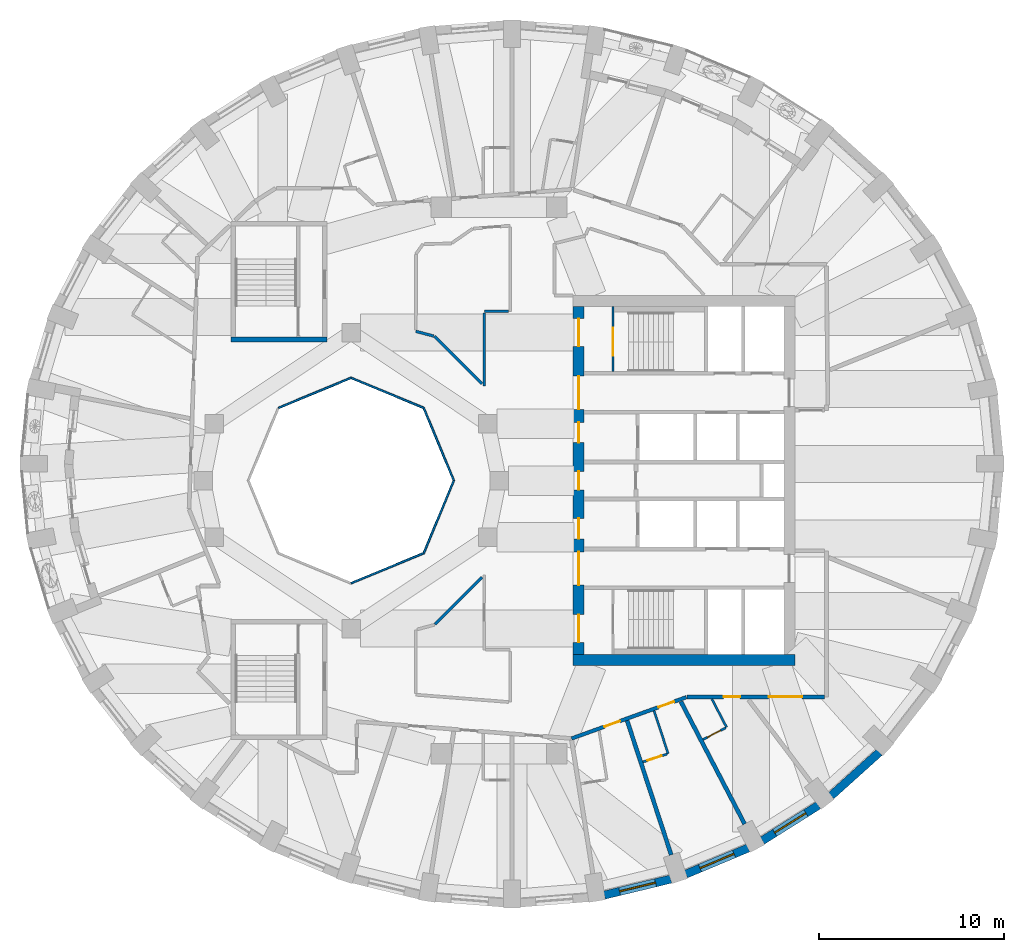
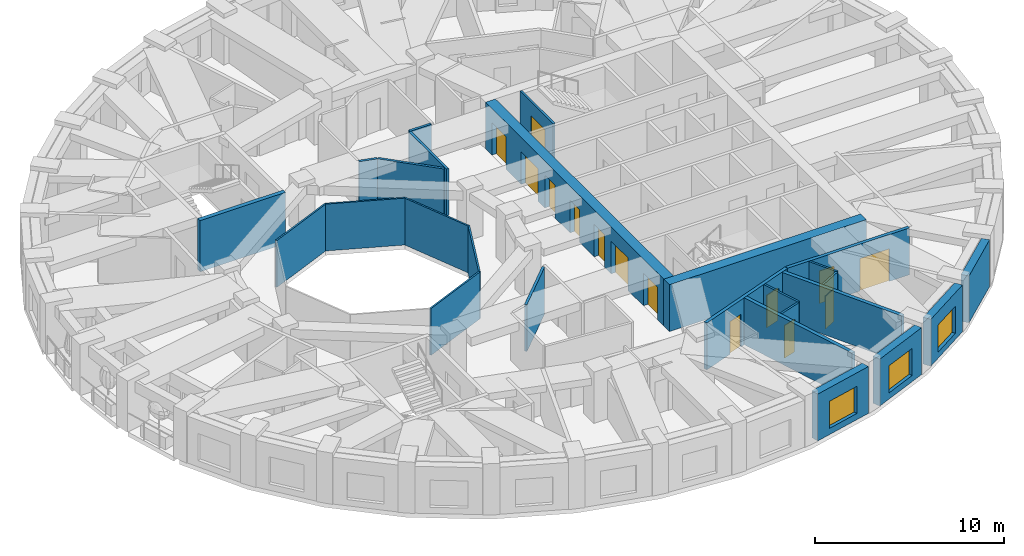
# One storey, part 5 of 12: 26 walls, 14 doors, 3 windows, 17 openings.
"""IFC4 building model written with IfcOpenShell, lengths in metres."""

from ifc_helpers import new_model, si_unit, direction, frame, frame_2d, origin, place, context, subcontext, project, spatial, rectangle, extrude, material, layer, layer_set, type_object, element, fill, save


model = new_model("IFC4")

# Units and contexts
model_context = context("Model", 3, precision=1e-05, world=origin(), true_north=direction((0.0, 1.0)))
body_context = subcontext(model_context, "Body", "Model", "MODEL_VIEW")
ifc_project = project(units=[si_unit("LENGTHUNIT", "METRE"), si_unit("AREAUNIT", "SQUARE_METRE"), si_unit("VOLUMEUNIT", "CUBIC_METRE"), si_unit("PLANEANGLEUNIT", "RADIAN"), si_unit("MASSUNIT", "GRAM", prefix="KILO")], contexts=[model_context])

# Site, building, storey
site_placement = place(None, origin())
site = spatial("IfcSite", under=ifc_project, at=site_placement, CompositionType="ELEMENT")
building_placement = place(site_placement, origin())
building = spatial("IfcBuilding", under=site, at=building_placement, Name="Taillehof Tower", CompositionType="ELEMENT")
storey_placement = place(building_placement, frame((0.0, 0.0, 192.5)))
storey = spatial("IfcBuildingStorey", under=building, at=storey_placement, Name="L54", CompositionType="ELEMENT", Elevation=192.5)

# Walls
ifc_material_1 = material(Name="Fire-resisting glass in steel frame", Category="steel")
ifc_layer_1 = layer(ifc_material_1, 0.10009765625)
ifc_layer_set_1 = layer_set([ifc_layer_1], Name="Atrium fire-resisting screen EI 60 100")
wall_type_1 = type_object("IfcWallType", Name="Atrium fire-resisting screen EI 60 100", PredefinedType="PARTITIONING", material=ifc_layer_set_1)
for number, where, z_axis, x_axis, name in (
    (1, (-2.44580078125, 0.0, 0.0), (0.0, 0.0, 1.0), (-0.382730523909, -0.923860025149, 0.0), "Atrium screen"),
    (2, (-4.07275390625, -3.92724609375, 0.0), (0.0, 0.0, 1.0), (-0.923860025149, -0.382730523909, 0.0), "Atrium screen"),
    (3, (-11.92724609375, 3.92724609375, 0.0), (0.0, 0.0, 1.0), (0.923860025149, 0.382730523909, 0.0), "Atrium screen"),
    (4, (-8.0, 5.55419921875, 0.0), (0.0, 0.0, 1.0), (0.923860025149, -0.382730523909, 0.0), "Atrium screen"),
    (5, (-4.07275390625, 3.92724609375, 0.0), (0.0, 0.0, 1.0), (0.382730523909, -0.923860025149, 0.0), "Atrium screen"),
):
    element("IfcWall", number, at=place(storey_placement, frame(where, z_axis=z_axis, x_axis=x_axis)), inside=storey, type_object=wall_type_1, Name=name, PredefinedType="PARTITIONING", context=body_context, shape_type="SweptSolid", body=[
        extrude(rectangle(XDim=4.2509765625, YDim=0.10009765625, at=frame_2d((2.12548828125, 0.0))), origin(), (0.0, 0.0, 1.0), 3.02001953125),
    ])

# Wall, opening, window
ifc_material_2 = material(Name="Brick masonry", Category="masonry")
ifc_layer_2 = layer(ifc_material_2, 0.449951171875)
ifc_layer_set_2 = layer_set([ifc_layer_2], Name="Brick infill wall 450")
wall_type_2 = type_object("IfcWallType", Name="Brick infill wall 450", PredefinedType="SOLIDWALL", material=ifc_layer_set_2)
wall_1_placement = place(storey_placement, frame((5.690673828125, -22.41357421875, 0.0), z_axis=(0.0, 0.0, 1.0), x_axis=(0.9721584944, 0.234324266275, 0.0)))
wall_1 = element("IfcWall", 6, at=wall_1_placement, inside=storey, type_object=wall_type_2, Name="Brick wall L54 bay 29", PredefinedType="SOLIDWALL", context=body_context, shape_type="SweptSolid", body=[
    extrude(rectangle(XDim=3.69775390625, YDim=0.449951171875, at=frame_2d((1.848876953125, 0.0))), origin(), (0.0, 0.0, 1.0), 3.02001953125),
])
opening_1_placement = place(wall_1_placement, frame((0.848876953125, 0.0, 0.39990234375)))
opening_1 = element("IfcOpeningElement", 7, at=opening_1_placement, cuts=wall_1, Name="Opening W2", PredefinedType="OPENING", context=body_context, shape_type="SweptSolid", body=[
    extrude(rectangle(XDim=2.0, YDim=1.75, at=frame_2d((1.0, 0.875))), frame((0.0, 0.23486328125, 0.0), z_axis=(0.0, -1.0, 0.0), x_axis=(1.0, 0.0, 0.0)), (0.0, 0.0, 1.0), 0.469970703125),
])
ifc_material_3 = material(Name="Aluminium window frame with clear double glazing", Category="aluminium")
window_type = type_object("IfcWindowType", Name="Deep-set window 2000x1750", PartitioningType="SINGLE_PANEL", PredefinedType="WINDOW", material=ifc_material_3)
window_1_placement = place(opening_1_placement, origin())
window_1 = element("IfcWindow", 8, at=window_1_placement, inside=storey, type_object=window_type, Name="W2", OverallHeight=1.75, OverallWidth=2.0, PartitioningType="SINGLE_PANEL", PredefinedType="WINDOW", context=body_context, shape_type="SweptSolid", body=[
    extrude(rectangle(XDim=2.0, YDim=1.75, at=frame_2d((1.0, 0.875))), frame((0.0, 0.034912109375, 0.0), z_axis=(0.0, -1.0, 0.0), x_axis=(1.0, 0.0, 0.0)), (0.0, 0.0, 1.0), 0.06005859375),
])
fill(opening_1, window_1)

wall_2_placement = place(storey_placement, frame((10.1025390625, -21.279052734375, 0.0), z_axis=(0.0, 0.0, 1.0), x_axis=(0.922168222612, 0.386789050006, 0.0)))
wall_2 = element("IfcWall", 9, at=wall_2_placement, inside=storey, type_object=wall_type_2, Name="Brick wall L54 bay 30", PredefinedType="SOLIDWALL", context=body_context, shape_type="SweptSolid", body=[
    extrude(rectangle(XDim=3.65087890625, YDim=0.449951171875, at=frame_2d((1.825439453125, 0.0))), origin(), (0.0, 0.0, 1.0), 3.02001953125),
])
opening_2_placement = place(wall_2_placement, frame((0.825439453125, 0.0, 0.39990234375)))
opening_2 = element("IfcOpeningElement", 10, at=opening_2_placement, cuts=wall_2, Name="Opening W2", PredefinedType="OPENING", context=body_context, shape_type="SweptSolid", body=[
    extrude(rectangle(XDim=2.0, YDim=1.75, at=frame_2d((1.0, 0.875))), frame((0.0, 0.23486328125, 0.0), z_axis=(0.0, -1.0, 0.0), x_axis=(1.0, 0.0, 0.0)), (0.0, 0.0, 1.0), 0.469970703125),
])
window_2_placement = place(opening_2_placement, origin())
window_2 = element("IfcWindow", 11, at=window_2_placement, inside=storey, type_object=window_type, Name="W2", OverallHeight=1.75, OverallWidth=2.0, PartitioningType="SINGLE_PANEL", PredefinedType="WINDOW", context=body_context, shape_type="SweptSolid", body=[
    extrude(rectangle(XDim=2.0, YDim=1.75, at=frame_2d((1.0, 0.875))), frame((0.0, 0.034912109375, 0.0), z_axis=(0.0, -1.0, 0.0), x_axis=(1.0, 0.0, 0.0)), (0.0, 0.0, 1.0), 0.06005859375),
])
fill(opening_2, window_2)

wall_3_placement = place(storey_placement, frame((14.232421875, -19.469970703125, 0.0), z_axis=(0.0, 0.0, 1.0), x_axis=(0.84614984472, 0.532945063098, 0.0)))
wall_3 = element("IfcWall", 12, at=wall_3_placement, inside=storey, type_object=wall_type_2, Name="Brick wall L54 bay 31", PredefinedType="SOLIDWALL", context=body_context, shape_type="SweptSolid", body=[
    extrude(rectangle(XDim=3.58642578125, YDim=0.449951171875, at=frame_2d((1.793212890625, 0.0))), origin(), (0.0, 0.0, 1.0), 3.02001953125),
])
opening_3_placement = place(wall_3_placement, frame((0.79345703125, 0.0, 0.39990234375)))
opening_3 = element("IfcOpeningElement", 13, at=opening_3_placement, cuts=wall_3, Name="Opening W2", PredefinedType="OPENING", context=body_context, shape_type="SweptSolid", body=[
    extrude(rectangle(XDim=2.0, YDim=1.75, at=frame_2d((1.0, 0.875))), frame((0.0, 0.23486328125, 0.0), z_axis=(0.0, -1.0, 0.0), x_axis=(1.0, 0.0, 0.0)), (0.0, 0.0, 1.0), 0.469970703125),
])
window_3_placement = place(opening_3_placement, origin())
window_3 = element("IfcWindow", 14, at=window_3_placement, inside=storey, type_object=window_type, Name="W2", OverallHeight=1.75, OverallWidth=2.0, PartitioningType="SINGLE_PANEL", PredefinedType="WINDOW", context=body_context, shape_type="SweptSolid", body=[
    extrude(rectangle(XDim=2.0, YDim=1.75, at=frame_2d((1.0, 0.875))), frame((0.0, 0.034912109375, 0.0), z_axis=(0.0, -1.0, 0.0), x_axis=(1.0, 0.0, 0.0)), (0.0, 0.0, 1.0), 0.06005859375),
])
fill(opening_3, window_3)

# Wall
wall_4_placement = place(storey_placement, frame((17.953369140625, -17.039794921875, 0.0), z_axis=(0.0, 0.0, 1.0), x_axis=(0.743442727602, 0.668799604348, 0.0)))
element("IfcWall", 15, at=wall_4_placement, inside=storey, type_object=wall_type_2, Name="Brick wall L54 bay 32", PredefinedType="SOLIDWALL", context=body_context, shape_type="SweptSolid", body=[
    extrude(rectangle(XDim=3.5126953125, YDim=0.449951171875, at=frame_2d((1.75634765625, 0.0))), origin(), (0.0, 0.0, 1.0), 3.02001953125),
])

# Wall, openings, doors
ifc_material_4 = material(Name="Gypsum board on steel studs, two layers each side", Category="steel")
ifc_layer_3 = layer(ifc_material_4, 0.199951171875)
ifc_layer_set_3 = layer_set([ifc_layer_3], Name="Compartment wall corridor 200")
wall_type_3 = type_object("IfcWallType", Name="Compartment wall corridor 200", PredefinedType="PARTITIONING", material=ifc_layer_set_3)
wall_5_placement = place(storey_placement, frame((17.599853515625, -11.699951171875, 0.0), z_axis=(0.0, 0.0, 1.0), x_axis=(-1.0, 0.0, 0.0)))
wall_5 = element("IfcWall", 16, at=wall_5_placement, inside=storey, type_object=wall_type_3, Name="Compartment wall", PredefinedType="PARTITIONING", context=body_context, shape_type="SweptSolid", body=[
    extrude(rectangle(XDim=7.43701171875, YDim=0.199951171875, at=frame_2d((3.718505859375, 0.0))), origin(), (0.0, 0.0, 1.0), 3.02001953125),
])
opening_4_placement = place(wall_5_placement, frame((4.56201171875, 0.0, 0.0)))
opening_4 = element("IfcOpeningElement", 17, at=opening_4_placement, cuts=wall_5, Name="Opening D5466", PredefinedType="OPENING", context=body_context, shape_type="SweptSolid", body=[
    extrude(rectangle(XDim=0.89990234375, YDim=2.10009765625, at=frame_2d((0.449951171875, 1.050048828125))), frame((0.0, 0.10986328125, 0.0), z_axis=(0.0, -1.0, 0.0), x_axis=(1.0, 0.0, 0.0)), (0.0, 0.0, 1.0), 0.219970703125),
])
opening_5_placement = place(wall_5_placement, frame((1.220458984375, 0.0, 0.0)))
opening_5 = element("IfcOpeningElement", 18, at=opening_5_placement, cuts=wall_5, Name="Opening D5468", PredefinedType="OPENING", context=body_context, shape_type="SweptSolid", body=[
    extrude(rectangle(XDim=1.800048828125, YDim=2.10009765625, at=frame_2d((0.89990234375, 1.050048828125))), frame((0.0, 0.10986328125, 0.0), z_axis=(0.0, -1.0, 0.0), x_axis=(1.0, 0.0, 0.0)), (0.0, 0.0, 1.0), 0.219970703125),
])
ifc_material_5 = material(Name="Timber door leaf in steel frame", Category="steel")
door_type_1 = type_object("IfcDoorType", Name="Guest room door EI 30 900 x 2100", OperationType="SINGLE_SWING_LEFT", PredefinedType="DOOR", material=ifc_material_5)
door_1_placement = place(opening_4_placement, origin())
door_1 = element("IfcDoor", 19, at=door_1_placement, inside=storey, type_object=door_type_1, Name="D5466", OperationType="SINGLE_SWING_LEFT", OverallHeight=2.10009765625, OverallWidth=0.89990234375, PredefinedType="DOOR", context=body_context, shape_type="SweptSolid", body=[
    extrude(rectangle(XDim=0.89990234375, YDim=2.10009765625, at=frame_2d((0.449951171875, 1.050048828125))), frame((0.0, 0.02490234375, 0.0), z_axis=(0.0, -1.0, 0.0), x_axis=(1.0, 0.0, 0.0)), (0.0, 0.0, 1.0), 0.050048828125),
])
fill(opening_4, door_1)
ifc_material_6 = material(Name="Timber door leaf in steel frame", Category="steel")
door_type_2 = type_object("IfcDoorType", Name="Lounge and meeting room double door EI 30 1800 x 2100", OperationType="SINGLE_SWING_LEFT", PredefinedType="DOOR", material=ifc_material_6)
door_2_placement = place(opening_5_placement, origin())
door_2 = element("IfcDoor", 20, at=door_2_placement, inside=storey, type_object=door_type_2, Name="D5468", OperationType="DOUBLE_DOOR_SINGLE_SWING", OverallHeight=2.10009765625, OverallWidth=1.800048828125, PredefinedType="DOOR", context=body_context, shape_type="SweptSolid", body=[
    extrude(rectangle(XDim=1.800048828125, YDim=2.10009765625, at=frame_2d((0.89990234375, 1.050048828125))), frame((0.0, 0.02490234375, 0.0), z_axis=(0.0, -1.0, 0.0), x_axis=(1.0, 0.0, 0.0)), (0.0, 0.0, 1.0), 0.050048828125),
])
fill(opening_5, door_2)

wall_6_placement = place(storey_placement, frame((10.125244140625, -11.713623046875, 0.0), z_axis=(0.0, 0.0, 1.0), x_axis=(-0.940958661946, -0.338521486038, 0.0)))
wall_6 = element("IfcWall", 21, at=wall_6_placement, inside=storey, type_object=wall_type_3, Name="Compartment wall", PredefinedType="PARTITIONING", context=body_context, shape_type="SweptSolid", body=[
    extrude(rectangle(XDim=6.593994140625, YDim=0.199951171875, at=frame_2d((3.296875, 0.0))), origin(), (0.0, 0.0, 1.0), 3.02001953125),
])
opening_6_placement = place(wall_6_placement, frame((3.808837890625, 0.0, 0.0)))
opening_6 = element("IfcOpeningElement", 22, at=opening_6_placement, cuts=wall_6, Name="Opening D5462", PredefinedType="OPENING", context=body_context, shape_type="SweptSolid", body=[
    extrude(rectangle(XDim=0.89990234375, YDim=2.10009765625, at=frame_2d((0.449951171875, 1.050048828125))), frame((0.0, 0.10986328125, 0.0), z_axis=(0.0, -1.0, 0.0), x_axis=(1.0, 0.0, 0.0)), (0.0, 0.0, 1.0), 0.219970703125),
])
opening_7_placement = place(wall_6_placement, frame((0.70556640625, 0.0, 0.0)))
opening_7 = element("IfcOpeningElement", 23, at=opening_7_placement, cuts=wall_6, Name="Opening D5464", PredefinedType="OPENING", context=body_context, shape_type="SweptSolid", body=[
    extrude(rectangle(XDim=0.89990234375, YDim=2.10009765625, at=frame_2d((0.449951171875, 1.050048828125))), frame((0.0, 0.10986328125, 0.0), z_axis=(0.0, -1.0, 0.0), x_axis=(1.0, 0.0, 0.0)), (0.0, 0.0, 1.0), 0.219970703125),
])
door_3_placement = place(opening_6_placement, origin())
door_3 = element("IfcDoor", 24, at=door_3_placement, inside=storey, type_object=door_type_1, Name="D5462", OperationType="SINGLE_SWING_LEFT", OverallHeight=2.10009765625, OverallWidth=0.89990234375, PredefinedType="DOOR", context=body_context, shape_type="SweptSolid", body=[
    extrude(rectangle(XDim=0.89990234375, YDim=2.10009765625, at=frame_2d((0.449951171875, 1.050048828125))), frame((0.0, 0.02490234375, 0.0), z_axis=(0.0, -1.0, 0.0), x_axis=(1.0, 0.0, 0.0)), (0.0, 0.0, 1.0), 0.050048828125),
])
fill(opening_6, door_3)
door_4_placement = place(opening_7_placement, origin())
door_4 = element("IfcDoor", 25, at=door_4_placement, inside=storey, type_object=door_type_1, Name="D5464", OperationType="SINGLE_SWING_LEFT", OverallHeight=2.10009765625, OverallWidth=0.89990234375, PredefinedType="DOOR", context=body_context, shape_type="SweptSolid", body=[
    extrude(rectangle(XDim=0.89990234375, YDim=2.10009765625, at=frame_2d((0.449951171875, 1.050048828125))), frame((0.0, 0.02490234375, 0.0), z_axis=(0.0, -1.0, 0.0), x_axis=(1.0, 0.0, 0.0)), (0.0, 0.0, 1.0), 0.050048828125),
])
fill(opening_7, door_4)

# Walls
ifc_material_7 = material(Name="Gypsum board on double steel studs with mineral wool", Category="steel")
ifc_layer_4 = layer(ifc_material_7, 0.219970703125)
ifc_layer_set_4 = layer_set([ifc_layer_4], Name="Compartment wall guest room 220")
wall_type_4 = type_object("IfcWallType", Name="Compartment wall guest room 220", PredefinedType="PARTITIONING", material=ifc_layer_set_4)
wall_7_placement = place(storey_placement, frame((9.30712890625, -20.2353515625, 0.0), z_axis=(0.0, 0.0, 1.0), x_axis=(-0.311980340154, 0.950088557639, 0.0)))
element("IfcWall", 26, at=wall_7_placement, inside=storey, type_object=wall_type_4, Name="Compartment wall", PredefinedType="PARTITIONING", context=body_context, shape_type="SweptSolid", body=[
    extrude(rectangle(XDim=7.644775390625, YDim=0.219970703125, at=frame_2d((3.822265625, 0.0))), origin(), (0.0, 0.0, 1.0), 3.02001953125),
])
wall_8_placement = place(storey_placement, frame((13.278564453125, -18.56982421875, 0.0), z_axis=(0.0, 0.0, 1.0), x_axis=(-0.461996036885, 0.886881988712, 0.0)))
element("IfcWall", 27, at=wall_8_placement, inside=storey, type_object=wall_type_4, Name="Compartment wall", PredefinedType="PARTITIONING", context=body_context, shape_type="SweptSolid", body=[
    extrude(rectangle(XDim=7.467041015625, YDim=0.219970703125, at=frame_2d((3.7333984375, 0.0))), origin(), (0.0, 0.0, 1.0), 3.02001953125),
])
ifc_material_8 = material(Name="Gypsum board on steel studs, two layers each side", Category="steel")
ifc_layer_5 = layer(ifc_material_8, 0.14990234375)
ifc_layer_set_5 = layer_set([ifc_layer_5], Name="Compartment wall service room 150")
wall_type_5 = type_object("IfcWallType", Name="Compartment wall service room 150", PredefinedType="PARTITIONING", material=ifc_layer_set_5)
wall_9_placement = place(storey_placement, frame((0.52001953125, 9.14990234375, 0.0), z_axis=(0.0, 0.0, 1.0), x_axis=(-1.0, 0.0, 0.0)))
element("IfcWall", 28, at=wall_9_placement, inside=storey, type_object=wall_type_5, Name="Compartment wall", PredefinedType="PARTITIONING", context=body_context, shape_type="SweptSolid", body=[
    extrude(rectangle(XDim=1.320068359375, YDim=0.14990234375, at=frame_2d((0.66015625, 0.0))), origin(), (0.0, 0.0, 1.0), 3.02001953125),
])
wall_10_placement = place(storey_placement, frame((-0.800048828125, 9.06982421875, 0.0), z_axis=(0.0, 0.0, 1.0), x_axis=(0.0, -1.0, 0.0)))
element("IfcWall", 29, at=wall_10_placement, inside=storey, type_object=wall_type_5, Name="Compartment wall", PredefinedType="PARTITIONING", context=body_context, shape_type="SweptSolid", body=[
    extrude(rectangle(XDim=3.966064453125, YDim=0.14990234375, at=frame_2d((1.98291015625, 0.0))), origin(), (0.0, 0.0, 1.0), 3.02001953125),
])
wall_11_placement = place(storey_placement, frame((-0.927490234375, 5.231201171875, 0.0), z_axis=(0.0, 0.0, 1.0), x_axis=(-0.707106781187, 0.707106781187, 0.0)))
element("IfcWall", 30, at=wall_11_placement, inside=storey, type_object=wall_type_5, Name="Compartment wall", PredefinedType="PARTITIONING", context=body_context, shape_type="SweptSolid", body=[
    extrude(rectangle(XDim=3.63330078125, YDim=0.14990234375, at=frame_2d((1.816650390625, 0.0))), origin(), (0.0, 0.0, 1.0), 3.02001953125),
])
wall_12_placement = place(storey_placement, frame((-3.53515625, 7.810546875, 0.0), z_axis=(0.0, 0.0, 1.0), x_axis=(-0.965921867197, 0.258833820183, 0.0)))
element("IfcWall", 31, at=wall_12_placement, inside=storey, type_object=wall_type_5, Name="Compartment wall", PredefinedType="PARTITIONING", context=body_context, shape_type="SweptSolid", body=[
    extrude(rectangle(XDim=0.998779296875, YDim=0.14990234375, at=frame_2d((0.49951171875, 0.0))), origin(), (0.0, 0.0, 1.0), 3.02001953125),
])
wall_13_placement = place(storey_placement, frame((-3.46826171875, -7.77197265625, 0.0), z_axis=(0.0, 0.0, 1.0), x_axis=(0.707106781187, 0.707106781187, 0.0)))
element("IfcWall", 32, at=wall_13_placement, inside=storey, type_object=wall_type_5, Name="Compartment wall", PredefinedType="PARTITIONING", context=body_context, shape_type="SweptSolid", body=[
    extrude(rectangle(XDim=3.59326171875, YDim=0.14990234375, at=frame_2d((1.796630859375, 0.0))), origin(), (0.0, 0.0, 1.0), 3.02001953125),
])

# Wall, openings, doors
ifc_material_9 = material(Name="Concrete C80/95", Category="concrete")
ifc_layer_6 = layer(ifc_material_9, 0.60009765625)
ifc_layer_set_6 = layer_set([ifc_layer_6], Name="Core wall C80/95 600")
wall_type_6 = type_object("IfcWallType", Name="Core wall C80/95 600", PredefinedType="SHEAR", material=ifc_layer_set_6)
wall_14_placement = place(storey_placement, frame((4.300048828125, -9.39990234375, 0.0), z_axis=(0.0, 0.0, 1.0), x_axis=(0.0, 1.0, 0.0)))
wall_14 = element("IfcWall", 33, at=wall_14_placement, inside=storey, type_object=wall_type_6, Name="Core wall CW01", PredefinedType="SHEAR", context=body_context, shape_type="SweptSolid", body=[
    extrude(rectangle(XDim=18.7998046875, YDim=0.60009765625, at=frame_2d((9.39990234375, 0.0))), origin(), (0.0, 0.0, 1.0), 3.02001953125),
])
opening_8_placement = place(wall_14_placement, frame((0.64990234375, 0.0, 0.0)))
opening_8 = element("IfcOpeningElement", 34, at=opening_8_placement, cuts=wall_14, Name="Opening D5401", PredefinedType="OPENING", context=body_context, shape_type="SweptSolid", body=[
    extrude(rectangle(XDim=1.5, YDim=2.10009765625, at=frame_2d((0.75, 1.050048828125))), frame((0.0, 0.31005859375, 0.0), z_axis=(0.0, -1.0, 0.0), x_axis=(1.0, 0.0, 0.0)), (0.0, 0.0, 1.0), 0.6201171875),
])
opening_9_placement = place(wall_14_placement, frame((3.75, 0.0, 0.0)))
opening_9 = element("IfcOpeningElement", 35, at=opening_9_placement, cuts=wall_14, Name="Opening D5402", PredefinedType="OPENING", context=body_context, shape_type="SweptSolid", body=[
    extrude(rectangle(XDim=1.800048828125, YDim=2.10009765625, at=frame_2d((0.89990234375, 1.050048828125))), frame((0.0, 0.31005859375, 0.0), z_axis=(0.0, -1.0, 0.0), x_axis=(1.0, 0.0, 0.0)), (0.0, 0.0, 1.0), 0.6201171875),
])
opening_10_placement = place(wall_14_placement, frame((6.25, 0.0, 0.0)))
opening_10 = element("IfcOpeningElement", 36, at=opening_10_placement, cuts=wall_14, Name="Opening D5403", PredefinedType="OPENING", context=body_context, shape_type="SweptSolid", body=[
    extrude(rectangle(XDim=1.10009765625, YDim=2.10009765625, at=frame_2d((0.550048828125, 1.050048828125))), frame((0.0, 0.31005859375, 0.0), z_axis=(0.0, -1.0, 0.0), x_axis=(1.0, 0.0, 0.0)), (0.0, 0.0, 1.0), 0.6201171875),
])
opening_11_placement = place(wall_14_placement, frame((8.89990234375, 0.0, 0.0)))
opening_11 = element("IfcOpeningElement", 37, at=opening_11_placement, cuts=wall_14, Name="Opening D5404", PredefinedType="OPENING", context=body_context, shape_type="SweptSolid", body=[
    extrude(rectangle(XDim=1.0, YDim=2.10009765625, at=frame_2d((0.5, 1.050048828125))), frame((0.0, 0.31005859375, 0.0), z_axis=(0.0, -1.0, 0.0), x_axis=(1.0, 0.0, 0.0)), (0.0, 0.0, 1.0), 0.6201171875),
])
opening_12_placement = place(wall_14_placement, frame((11.449951171875, 0.0, 0.0)))
opening_12 = element("IfcOpeningElement", 38, at=opening_12_placement, cuts=wall_14, Name="Opening D5405", PredefinedType="OPENING", context=body_context, shape_type="SweptSolid", body=[
    extrude(rectangle(XDim=1.10009765625, YDim=2.10009765625, at=frame_2d((0.550048828125, 1.050048828125))), frame((0.0, 0.31005859375, 0.0), z_axis=(0.0, -1.0, 0.0), x_axis=(1.0, 0.0, 0.0)), (0.0, 0.0, 1.0), 0.6201171875),
])
opening_13_placement = place(wall_14_placement, frame((13.25, 0.0, 0.0)))
opening_13 = element("IfcOpeningElement", 39, at=opening_13_placement, cuts=wall_14, Name="Opening D5406", PredefinedType="OPENING", context=body_context, shape_type="SweptSolid", body=[
    extrude(rectangle(XDim=1.800048828125, YDim=2.10009765625, at=frame_2d((0.89990234375, 1.050048828125))), frame((0.0, 0.31005859375, 0.0), z_axis=(0.0, -1.0, 0.0), x_axis=(1.0, 0.0, 0.0)), (0.0, 0.0, 1.0), 0.6201171875),
])
opening_14_placement = place(wall_14_placement, frame((16.64990234375, 0.0, 0.0)))
opening_14 = element("IfcOpeningElement", 40, at=opening_14_placement, cuts=wall_14, Name="Opening D5407", PredefinedType="OPENING", context=body_context, shape_type="SweptSolid", body=[
    extrude(rectangle(XDim=1.5, YDim=2.10009765625, at=frame_2d((0.75, 1.050048828125))), frame((0.0, 0.31005859375, 0.0), z_axis=(0.0, -1.0, 0.0), x_axis=(1.0, 0.0, 0.0)), (0.0, 0.0, 1.0), 0.6201171875),
])
ifc_material_10 = material(Name="Steel-faced fire door", Category="steel")
door_type_3 = type_object("IfcDoorType", Name="Firefighting lobby door 1100x2100", OperationType="SINGLE_SWING_RIGHT", PredefinedType="DOOR", material=ifc_material_10)
door_5_placement = place(opening_10_placement, origin())
door_5 = element("IfcDoor", 41, at=door_5_placement, inside=storey, type_object=door_type_3, Name="Firefighting lobby door FFL-S", OperationType="SINGLE_SWING_RIGHT", OverallHeight=2.10009765625, OverallWidth=1.10009765625, PredefinedType="DOOR", context=body_context, shape_type="SweptSolid", body=[
    extrude(rectangle(XDim=1.10009765625, YDim=2.10009765625, at=frame_2d((0.550048828125, 1.050048828125))), frame((0.0, 0.02490234375, 0.0), z_axis=(0.0, -1.0, 0.0), x_axis=(1.0, 0.0, 0.0)), (0.0, 0.0, 1.0), 0.050048828125),
])
fill(opening_10, door_5)
door_6_placement = place(opening_12_placement, origin())
door_6 = element("IfcDoor", 42, at=door_6_placement, inside=storey, type_object=door_type_3, Name="Firefighting lobby door FFL-N", OperationType="SINGLE_SWING_LEFT", OverallHeight=2.10009765625, OverallWidth=1.10009765625, PredefinedType="DOOR", context=body_context, shape_type="SweptSolid", body=[
    extrude(rectangle(XDim=1.10009765625, YDim=2.10009765625, at=frame_2d((0.550048828125, 1.050048828125))), frame((0.0, 0.02490234375, 0.0), z_axis=(0.0, -1.0, 0.0), x_axis=(1.0, 0.0, 0.0)), (0.0, 0.0, 1.0), 0.050048828125),
])
fill(opening_12, door_6)
ifc_material_11 = material(Name="Steel-faced fire door", Category="steel")
door_type_4 = type_object("IfcDoorType", Name="Lift lobby door 1800x2100", OperationType="DOUBLE_DOOR_SINGLE_SWING", PredefinedType="DOOR", material=ifc_material_11)
door_7_placement = place(opening_9_placement, origin())
door_7 = element("IfcDoor", 43, at=door_7_placement, inside=storey, type_object=door_type_4, Name="Lift lobby door LL-S", OperationType="DOUBLE_DOOR_SINGLE_SWING", OverallHeight=2.10009765625, OverallWidth=1.800048828125, PredefinedType="DOOR", context=body_context, shape_type="SweptSolid", body=[
    extrude(rectangle(XDim=1.800048828125, YDim=2.10009765625, at=frame_2d((0.89990234375, 1.050048828125))), frame((0.0, 0.02490234375, 0.0), z_axis=(0.0, -1.0, 0.0), x_axis=(1.0, 0.0, 0.0)), (0.0, 0.0, 1.0), 0.050048828125),
])
fill(opening_9, door_7)
door_8_placement = place(opening_13_placement, origin())
door_8 = element("IfcDoor", 44, at=door_8_placement, inside=storey, type_object=door_type_4, Name="Lift lobby door LL-N", OperationType="DOUBLE_DOOR_SINGLE_SWING", OverallHeight=2.10009765625, OverallWidth=1.800048828125, PredefinedType="DOOR", context=body_context, shape_type="SweptSolid", body=[
    extrude(rectangle(XDim=1.800048828125, YDim=2.10009765625, at=frame_2d((0.89990234375, 1.050048828125))), frame((0.0, 0.02490234375, 0.0), z_axis=(0.0, -1.0, 0.0), x_axis=(1.0, 0.0, 0.0)), (0.0, 0.0, 1.0), 0.050048828125),
])
fill(opening_13, door_8)
ifc_material_12 = material(Name="Steel-faced fire door", Category="steel")
door_type_5 = type_object("IfcDoorType", Name="Service door 1000x2100", OperationType="SINGLE_SWING_RIGHT", PredefinedType="DOOR", material=ifc_material_12)
door_9_placement = place(opening_11_placement, origin())
door_9 = element("IfcDoor", 45, at=door_9_placement, inside=storey, type_object=door_type_5, Name="Service door SV", OperationType="SINGLE_SWING_RIGHT", OverallHeight=2.10009765625, OverallWidth=1.0, PredefinedType="DOOR", context=body_context, shape_type="SweptSolid", body=[
    extrude(rectangle(XDim=1.0, YDim=2.10009765625, at=frame_2d((0.5, 1.050048828125))), frame((0.0, 0.02490234375, 0.0), z_axis=(0.0, -1.0, 0.0), x_axis=(1.0, 0.0, 0.0)), (0.0, 0.0, 1.0), 0.050048828125),
])
fill(opening_11, door_9)
ifc_material_13 = material(Name="Steel-faced fire door", Category="steel")
door_type_6 = type_object("IfcDoorType", Name="Stair door 1500x2100", OperationType="DOUBLE_DOOR_SINGLE_SWING", PredefinedType="DOOR", material=ifc_material_13)
door_10_placement = place(opening_8_placement, origin())
door_10 = element("IfcDoor", 46, at=door_10_placement, inside=storey, type_object=door_type_6, Name="Stair door S2", OperationType="DOUBLE_DOOR_SINGLE_SWING", OverallHeight=2.10009765625, OverallWidth=1.5, PredefinedType="DOOR", context=body_context, shape_type="SweptSolid", body=[
    extrude(rectangle(XDim=1.5, YDim=2.10009765625, at=frame_2d((0.75, 1.050048828125))), frame((0.0, 0.02490234375, 0.0), z_axis=(0.0, -1.0, 0.0), x_axis=(1.0, 0.0, 0.0)), (0.0, 0.0, 1.0), 0.050048828125),
])
fill(opening_8, door_10)
door_11_placement = place(opening_14_placement, origin())
door_11 = element("IfcDoor", 47, at=door_11_placement, inside=storey, type_object=door_type_6, Name="Stair door S1", OperationType="DOUBLE_DOOR_SINGLE_SWING", OverallHeight=2.10009765625, OverallWidth=1.5, PredefinedType="DOOR", context=body_context, shape_type="SweptSolid", body=[
    extrude(rectangle(XDim=1.5, YDim=2.10009765625, at=frame_2d((0.75, 1.050048828125))), frame((0.0, 0.02490234375, 0.0), z_axis=(0.0, -1.0, 0.0), x_axis=(1.0, 0.0, 0.0)), (0.0, 0.0, 1.0), 0.050048828125),
])
fill(opening_14, door_11)

# Walls
wall_15_placement = place(storey_placement, frame((4.0, -9.699951171875, 0.0), z_axis=(0.0, 0.0, 1.0), x_axis=(1.0, 0.0, 0.0)))
element("IfcWall", 48, at=wall_15_placement, inside=storey, type_object=wall_type_6, Name="Core wall CW07", PredefinedType="SHEAR", context=body_context, shape_type="SweptSolid", body=[
    extrude(rectangle(XDim=12.0, YDim=0.60009765625, at=frame_2d((6.0, 0.0))), origin(), (0.0, 0.0, 1.0), 3.02001953125),
])
ifc_material_14 = material(Name="Gypsum board on steel studs, moisture resistant", Category="steel")
ifc_layer_7 = layer(ifc_material_14, 0.1201171875)
ifc_layer_set_7 = layer_set([ifc_layer_7], Name="En-suite wall 120")
wall_type_7 = type_object("IfcWallType", Name="En-suite wall 120", PredefinedType="PARTITIONING", material=ifc_layer_set_7)
wall_16_placement = place(storey_placement, frame((8.381103515625, -12.447265625, 0.0), z_axis=(0.0, 0.0, 1.0), x_axis=(0.312028325996, -0.950072799198, 0.0)))
element("IfcWall", 49, at=wall_16_placement, inside=storey, type_object=wall_type_7, Name="En-suite wall", PredefinedType="PARTITIONING", context=body_context, shape_type="SweptSolid", body=[
    extrude(rectangle(XDim=2.443603515625, YDim=0.1201171875, at=frame_2d((1.2216796875, 0.0))), origin(), (0.0, 0.0, 1.0), 3.02001953125),
])
wall_17_placement = place(storey_placement, frame((11.5087890625, -11.81787109375, 0.0), z_axis=(0.0, 0.0, 1.0), x_axis=(0.461987980812, -0.886886185249, 0.0)))
element("IfcWall", 50, at=wall_17_placement, inside=storey, type_object=wall_type_7, Name="En-suite wall", PredefinedType="PARTITIONING", context=body_context, shape_type="SweptSolid", body=[
    extrude(rectangle(XDim=1.718017578125, YDim=0.1201171875, at=frame_2d((0.85888671875, 0.0))), origin(), (0.0, 0.0, 1.0), 3.02001953125),
])

# Wall, opening, door
wall_18_placement = place(storey_placement, frame((9.086669921875, -14.78759765625, 0.0), z_axis=(0.0, 0.0, 1.0), x_axis=(-0.950123887932, -0.311872726573, 0.0)))
wall_18 = element("IfcWall", 51, at=wall_18_placement, inside=storey, type_object=wall_type_7, Name="En-suite wall", PredefinedType="PARTITIONING", context=body_context, shape_type="SweptSolid", body=[
    extrude(rectangle(XDim=1.380126953125, YDim=0.1201171875, at=frame_2d((0.68994140625, 0.0))), origin(), (0.0, 0.0, 1.0), 3.02001953125),
])
opening_15_placement = place(wall_18_placement, frame((0.315185546875, 0.0, 0.0)))
opening_15 = element("IfcOpeningElement", 52, at=opening_15_placement, cuts=wall_18, Name="Opening D5465", PredefinedType="OPENING", context=body_context, shape_type="SweptSolid", body=[
    extrude(rectangle(XDim=0.800048828125, YDim=2.10009765625, at=frame_2d((0.39990234375, 1.050048828125))), frame((0.0, 0.070068359375, 0.0), z_axis=(0.0, -1.0, 0.0), x_axis=(1.0, 0.0, 0.0)), (0.0, 0.0, 1.0), 0.14013671875),
])
ifc_material_15 = material(Name="Timber door leaf in steel frame", Category="steel")
door_type_7 = type_object("IfcDoorType", Name="En-suite door 800 x 2100", OperationType="SINGLE_SWING_LEFT", PredefinedType="DOOR", material=ifc_material_15)
door_12_placement = place(opening_15_placement, origin())
door_12 = element("IfcDoor", 53, at=door_12_placement, inside=storey, type_object=door_type_7, Name="D5465", OperationType="SINGLE_SWING_RIGHT", OverallHeight=2.10009765625, OverallWidth=0.800048828125, PredefinedType="DOOR", context=body_context, shape_type="SweptSolid", body=[
    extrude(rectangle(XDim=0.800048828125, YDim=2.10009765625, at=frame_2d((0.39990234375, 1.050048828125))), frame((0.0, 0.02490234375, 0.0), z_axis=(0.0, -1.0, 0.0), x_axis=(1.0, 0.0, 0.0)), (0.0, 0.0, 1.0), 0.050048828125),
])
fill(opening_15, door_12)

wall_19_placement = place(storey_placement, frame((12.2490234375, -13.369384765625, 0.0), z_axis=(0.0, 0.0, 1.0), x_axis=(-0.886834011057, -0.462088126695, 0.0)))
wall_19 = element("IfcWall", 54, at=wall_19_placement, inside=storey, type_object=wall_type_7, Name="En-suite wall", PredefinedType="PARTITIONING", context=body_context, shape_type="SweptSolid", body=[
    extrude(rectangle(XDim=1.37939453125, YDim=0.1201171875, at=frame_2d((0.689697265625, 0.0))), origin(), (0.0, 0.0, 1.0), 3.02001953125),
])
opening_16_placement = place(wall_19_placement, frame((0.314697265625, 0.0, 0.0)))
opening_16 = element("IfcOpeningElement", 55, at=opening_16_placement, cuts=wall_19, Name="Opening D5467", PredefinedType="OPENING", context=body_context, shape_type="SweptSolid", body=[
    extrude(rectangle(XDim=0.800048828125, YDim=2.10009765625, at=frame_2d((0.39990234375, 1.050048828125))), frame((0.0, 0.070068359375, 0.0), z_axis=(0.0, -1.0, 0.0), x_axis=(1.0, 0.0, 0.0)), (0.0, 0.0, 1.0), 0.14013671875),
])
door_13_placement = place(opening_16_placement, origin())
door_13 = element("IfcDoor", 56, at=door_13_placement, inside=storey, type_object=door_type_7, Name="D5467", OperationType="SINGLE_SWING_RIGHT", OverallHeight=2.10009765625, OverallWidth=0.800048828125, PredefinedType="DOOR", context=body_context, shape_type="SweptSolid", body=[
    extrude(rectangle(XDim=0.800048828125, YDim=2.10009765625, at=frame_2d((0.39990234375, 1.050048828125))), frame((0.0, 0.02490234375, 0.0), z_axis=(0.0, -1.0, 0.0), x_axis=(1.0, 0.0, 0.0)), (0.0, 0.0, 1.0), 0.050048828125),
])
fill(opening_16, door_13)

ifc_material_16 = material(Name="Concrete C50/60", Category="concrete")
ifc_layer_8 = layer(ifc_material_16, 0.1201171875)
ifc_layer_set_8 = layer_set([ifc_layer_8], Name="Stair lobby wall C50/60 120")
wall_type_8 = type_object("IfcWallType", Name="Stair lobby wall C50/60 120", PredefinedType="SHEAR", material=ifc_layer_set_8)
wall_20_placement = place(storey_placement, frame((6.159912109375, 5.89990234375, 0.0), z_axis=(0.0, 0.0, 1.0), x_axis=(0.0, 1.0, 0.0)))
wall_20 = element("IfcWall", 57, at=wall_20_placement, inside=storey, type_object=wall_type_8, Name="Compartment wall SW", PredefinedType="SHEAR", context=body_context, shape_type="SweptSolid", body=[
    extrude(rectangle(XDim=3.5, YDim=0.1201171875, at=frame_2d((1.75, 0.0))), origin(), (0.0, 0.0, 1.0), 3.02001953125),
])
opening_17_placement = place(wall_20_placement, frame((0.85009765625, 0.0, 0.0)))
opening_17 = element("IfcOpeningElement", 58, at=opening_17_placement, cuts=wall_20, Name="Opening D5410", PredefinedType="OPENING", context=body_context, shape_type="SweptSolid", body=[
    extrude(rectangle(XDim=1.5, YDim=2.10009765625, at=frame_2d((0.75, 1.050048828125))), frame((0.0, 0.070068359375, 0.0), z_axis=(0.0, -1.0, 0.0), x_axis=(1.0, 0.0, 0.0)), (0.0, 0.0, 1.0), 0.14013671875),
])
door_14_placement = place(opening_17_placement, origin())
door_14 = element("IfcDoor", 59, at=door_14_placement, inside=storey, type_object=door_type_6, Name="Stair lobby door S1", OperationType="DOUBLE_DOOR_SINGLE_SWING", OverallHeight=2.10009765625, OverallWidth=1.5, PredefinedType="DOOR", context=body_context, shape_type="SweptSolid", body=[
    extrude(rectangle(XDim=1.5, YDim=2.10009765625, at=frame_2d((0.75, 1.050048828125))), frame((0.0, 0.02490234375, 0.0), z_axis=(0.0, -1.0, 0.0), x_axis=(1.0, 0.0, 0.0)), (0.0, 0.0, 1.0), 0.050048828125),
])
fill(opening_17, door_14)

# Wall
ifc_material_17 = material(Name="Concrete C50/60", Category="concrete")
ifc_layer_9 = layer(ifc_material_17, 0.25)
ifc_layer_set_9 = layer_set([ifc_layer_9], Name="Stair wall C50/60 250")
wall_type_9 = type_object("IfcWallType", Name="Stair wall C50/60 250", PredefinedType="SHEAR", material=ifc_layer_set_9)
wall_21_placement = place(storey_placement, frame((-14.5, 7.625, -0.280029296875), z_axis=(0.0, 0.0, 1.0), x_axis=(1.0, 0.0, 0.0)))
element("IfcWall", 60, at=wall_21_placement, inside=storey, type_object=wall_type_9, Name="Stair wall SC", PredefinedType="SHEAR", context=body_context, shape_type="SweptSolid", body=[
    extrude(rectangle(XDim=5.199951171875, YDim=0.25, at=frame_2d((2.60009765625, 0.0))), origin(), (0.0, 0.0, 1.0), 3.300048828125),
])

save(model, "model.ifc")
